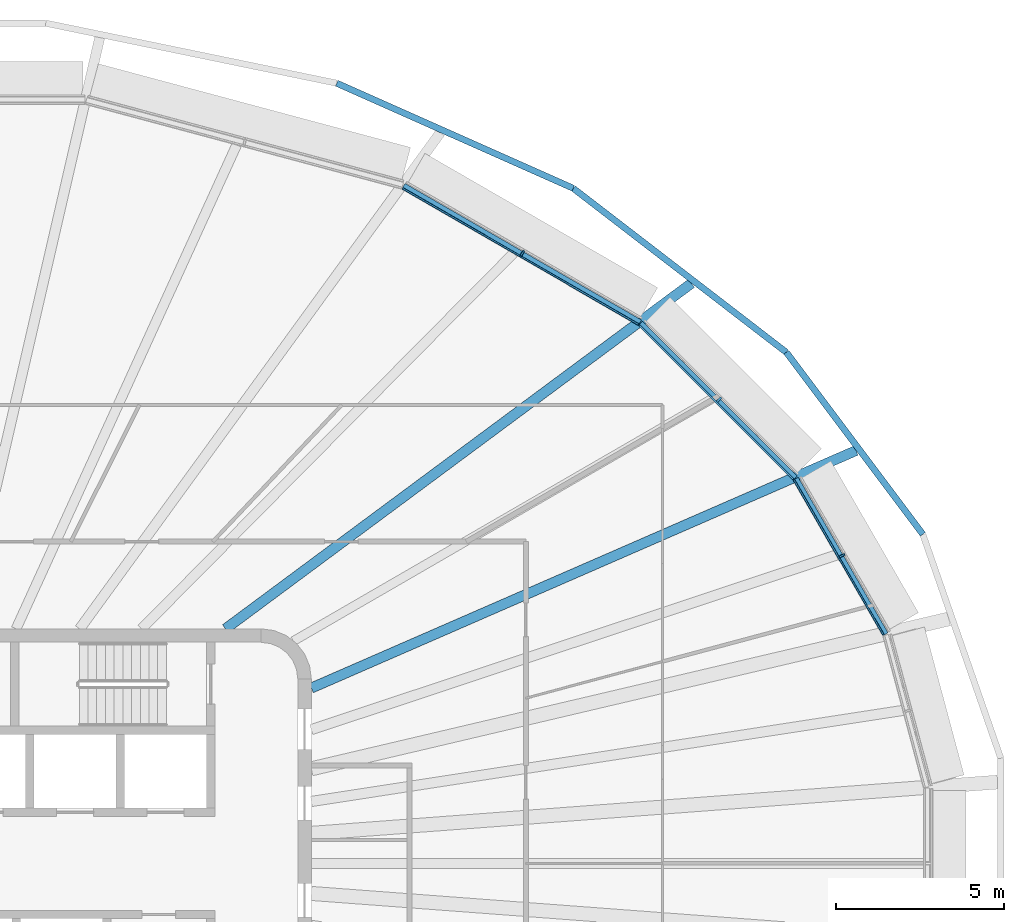
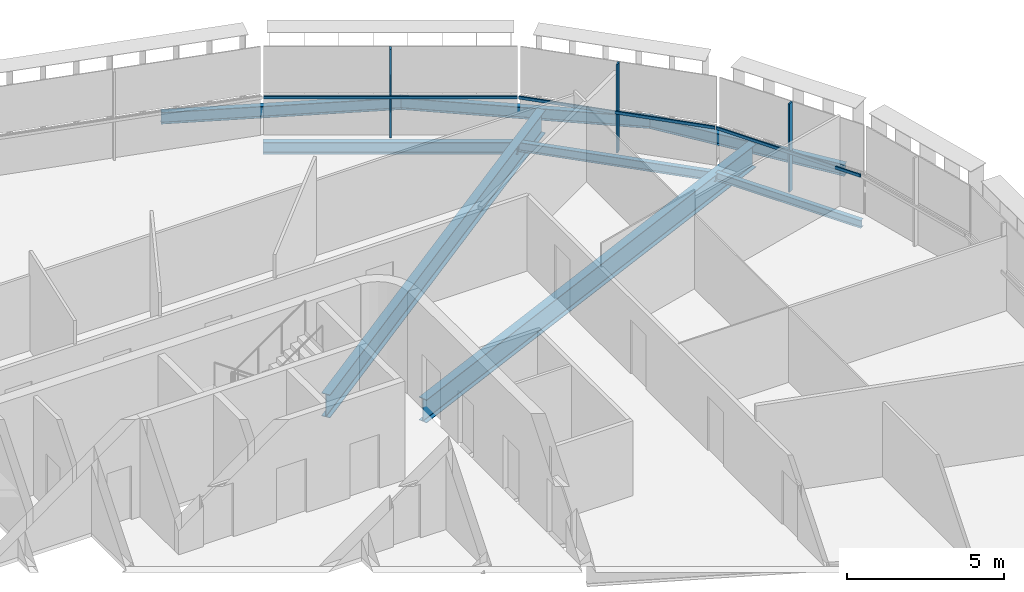
# One storey, part 7 of 20: 8 beams, 6 members, 3 elements without a shape of their own.
"""IFC4 building model written with IfcOpenShell, lengths in metres."""

from ifc_helpers import new_model, si_unit, direction, frame, origin, origin_2d, place, context, subcontext, project, spatial, rectangle, i_section, extrude, material, layer, layer_set, material_profile, profile_set, type_object, element, aggregate, save


model = new_model("IFC4")

# Units and contexts
model_context = context("Model", 3, precision=1e-05, world=origin(), true_north=direction((0.0, 1.0)))
body_context = subcontext(model_context, "Body", "Model", "MODEL_VIEW")
ifc_project = project(units=[si_unit("LENGTHUNIT", "METRE"), si_unit("AREAUNIT", "SQUARE_METRE"), si_unit("VOLUMEUNIT", "CUBIC_METRE"), si_unit("PLANEANGLEUNIT", "RADIAN"), si_unit("MASSUNIT", "GRAM", prefix="KILO")], contexts=[model_context])

# Site, building, storey
site_placement = place(None, origin())
site = spatial("IfcSite", under=ifc_project, at=site_placement, CompositionType="ELEMENT")
building_placement = place(site_placement, origin())
building = spatial("IfcBuilding", under=site, at=building_placement, Name="Sahrelin Media Tower", CompositionType="ELEMENT")
storey_placement = place(building_placement, frame((0.0, 0.0, 225.60009765625)))
storey = spatial("IfcBuildingStorey", under=building, at=storey_placement, Name="L48", CompositionType="ELEMENT", Elevation=225.60009765625)

# Beams
ifc_material_1 = material(Name="Steel S355", Category="steel")
ifc_material_profile_1 = material_profile(ifc_material_1, i_section(OverallWidth=0.1650390625, OverallDepth=0.303466796875, WebThickness=0.006103515625, FlangeThickness=0.01025390625, FilletRadius=0.0087890625, at=origin_2d()), Name="UB 305x165x40")
ifc_profile_set_1 = profile_set([ifc_material_profile_1], Name="Steel S355")
beam_type_1 = type_object("IfcBeamType", Name="Edge beam EB2", PredefinedType="BEAM", material=ifc_profile_set_1)
beam_1_placement = place(storey_placement, frame((26.45849609375, 11.480712890625, -0.3017578125), z_axis=(0.500015657045, -0.866016363997, 0.0), x_axis=(0.866016363997, 0.500015657045, 0.0)))
element("IfcBeam", 1, at=beam_1_placement, inside=storey, type_object=beam_type_1, Name="Edge beam L48-19", PredefinedType="BEAM", context=body_context, shape_type="SweptSolid", body=[
    extrude(i_section(OverallWidth=0.1650390625, OverallDepth=0.303466796875, WebThickness=0.006103515625, FlangeThickness=0.01025390625, FilletRadius=0.0087890625, at=origin_2d()), origin(), (0.0, 0.0, 1.0), 5.357666015625),
])
ifc_material_profile_2 = material_profile(ifc_material_1, i_section(OverallWidth=0.17138671875, OverallDepth=0.35498046875, WebThickness=0.00732421875, FlangeThickness=0.011474609375, FilletRadius=0.01025390625, at=origin_2d()), Name="UB 356x171x51")
ifc_profile_set_2 = profile_set([ifc_material_profile_2], Name="Steel S355")
beam_type_2 = type_object("IfcBeamType", Name="Edge beam EB3", PredefinedType="BEAM", material=ifc_profile_set_2)
beam_2_placement = place(storey_placement, frame((21.828125, 16.116455078125, -0.32763671875), z_axis=(0.707088068965, -0.707125492913, 0.0), x_axis=(0.707125492913, 0.707088068965, 0.0)))
element("IfcBeam", 2, at=beam_2_placement, inside=storey, type_object=beam_type_2, Name="Edge beam L48-18", PredefinedType="BEAM", context=body_context, shape_type="SweptSolid", body=[
    extrude(i_section(OverallWidth=0.17138671875, OverallDepth=0.35498046875, WebThickness=0.00732421875, FlangeThickness=0.011474609375, FilletRadius=0.01025390625, at=origin_2d()), origin(), (0.0, 0.0, 1.0), 6.523681640625),
])
ifc_material_profile_3 = material_profile(ifc_material_1, i_section(OverallWidth=0.1904296875, OverallDepth=0.45703125, WebThickness=0.009033203125, FlangeThickness=0.014404296875, FilletRadius=0.01025390625, at=origin_2d()), Name="UB 457x191x74")
ifc_profile_set_3 = profile_set([ifc_material_profile_3], Name="Steel S355")
beam_type_3 = type_object("IfcBeamType", Name="Edge beam EB5", PredefinedType="BEAM", material=ifc_profile_set_3)
beam_3_placement = place(storey_placement, frame((14.749267578125, 20.207763671875, -0.378662109375), z_axis=(0.866012430043, -0.500022470507, 0.0), x_axis=(0.500022470507, 0.866012430043, 0.0)))
element("IfcBeam", 3, at=beam_3_placement, inside=storey, type_object=beam_type_3, Name="Edge beam L48-17", PredefinedType="BEAM", context=body_context, shape_type="SweptSolid", body=[
    extrude(i_section(OverallWidth=0.1904296875, OverallDepth=0.45703125, WebThickness=0.009033203125, FlangeThickness=0.014404296875, FilletRadius=0.01025390625, at=origin_2d()), origin(), (0.0, 0.0, 1.0), 8.147705078125),
])

# Curtain wall, member
ifc_material_2 = material(Name="Champagne anodised aluminium 6063-T6", Category="aluminium")
ifc_layer = layer(ifc_material_2, 0.14990234375)
ifc_layer_set = layer_set([ifc_layer], Name="Tower ribbon curtain wall")
curtain_wall_type = type_object("IfcCurtainWallType", Name="Tower ribbon curtain wall", PredefinedType="NOTDEFINED", material=ifc_layer_set)
curtain_wall_1_placement = place(storey_placement, frame((27.927978515625, 9.235595703125, 0.0), z_axis=(0.0, 0.0, 1.0), x_axis=(1.0, 0.0, 0.0)))
curtain_wall_1 = element("IfcCurtainWall", 4, at=curtain_wall_1_placement, inside=storey, type_object=curtain_wall_type, Name="L48:CW:L48-02", PredefinedType="NOTDEFINED")
ifc_material_profile_4 = material_profile(ifc_material_2, rectangle(XDim=0.06005859375, YDim=0.175048828125, at=origin_2d()), Name="Mullion 60x175")
ifc_profile_set_4 = profile_set([ifc_material_profile_4], Name="Champagne anodised aluminium 6063-T6")
member_type_1 = type_object("IfcMemberType", Name="Mullion 60x175 CW1B", PredefinedType="MULLION", material=ifc_profile_set_4)
member_1_placement = place(storey_placement, frame((27.834716796875, 9.181884765625, 0.0), z_axis=(0.0, 0.0, 1.0), x_axis=(-0.500001511499, 0.866024531118, 0.0)))
member_1 = element("IfcMember", 5, at=member_1_placement, type_object=member_type_1, Name="L48:CWM:L48-02", PredefinedType="MULLION", context=body_context, shape_type="SweptSolid", body=[
    extrude(rectangle(XDim=0.06005859375, YDim=0.175048828125, at=origin_2d()), origin(), (0.0, 0.0, 1.0), 3.448486328125),
])

curtain_wall_2_placement = place(storey_placement, frame((24.240478515625, 13.916015625, 0.0), z_axis=(0.0, 0.0, 1.0), x_axis=(1.0, 0.0, 0.0)))
curtain_wall_2 = element("IfcCurtainWall", 6, at=curtain_wall_2_placement, inside=storey, type_object=curtain_wall_type, Name="L48:CW:L48-03", PredefinedType="NOTDEFINED")
member_2_placement = place(storey_placement, frame((24.16455078125, 13.840087890625, 0.0), z_axis=(0.0, 0.0, 1.0), x_axis=(-0.707106781187, 0.707106781187, 0.0)))
member_2 = element("IfcMember", 7, at=member_2_placement, type_object=member_type_1, Name="L48:CWM:L48-03", PredefinedType="MULLION", context=body_context, shape_type="SweptSolid", body=[
    extrude(rectangle(XDim=0.06005859375, YDim=0.175048828125, at=origin_2d()), origin(), (0.0, 0.0, 1.0), 3.448486328125),
])

curtain_wall_3_placement = place(storey_placement, frame((18.352294921875, 18.30078125, 0.0), z_axis=(0.0, 0.0, 1.0), x_axis=(1.0, 0.0, 0.0)))
curtain_wall_3 = element("IfcCurtainWall", 8, at=curtain_wall_3_placement, inside=storey, type_object=curtain_wall_type, Name="L48:CW:L48-04", PredefinedType="NOTDEFINED")
member_3_placement = place(storey_placement, frame((18.298583984375, 18.20751953125, 0.0), z_axis=(0.0, 0.0, 1.0), x_axis=(-0.866026276448, 0.4999984885, 0.0)))
member_3 = element("IfcMember", 9, at=member_3_placement, type_object=member_type_1, Name="L48:CWM:L48-04", PredefinedType="MULLION", context=body_context, shape_type="SweptSolid", body=[
    extrude(rectangle(XDim=0.06005859375, YDim=0.175048828125, at=origin_2d()), origin(), (0.0, 0.0, 1.0), 3.448486328125),
])

# Beams
ifc_material_profile_5 = material_profile(ifc_material_1, i_section(OverallWidth=0.30322265625, OverallDepth=0.903076171875, WebThickness=0.01513671875, FlangeThickness=0.020263671875, FilletRadius=0.01904296875, at=origin_2d()), Name="UB 914x305x201")
ifc_profile_set_5 = profile_set([ifc_material_profile_5], Name="Steel S355")
beam_type_4 = type_object("IfcBeamType", Name="Radial primary beam PB11", PredefinedType="BEAM", material=ifc_profile_set_5)
beam_4_placement = place(storey_placement, frame((12.0, 5.232177734375, -0.6015625), z_axis=(0.916661563544, 0.399664331559, 0.0), x_axis=(-0.399664331559, 0.916661563544, 0.0)))
element("IfcBeam", 10, at=beam_4_placement, inside=storey, type_object=beam_type_4, Name="Radial beam L48-03", PredefinedType="BEAM", context=body_context, shape_type="SweptSolid", body=[
    extrude(i_section(OverallWidth=0.30322265625, OverallDepth=0.903076171875, WebThickness=0.01513671875, FlangeThickness=0.020263671875, FilletRadius=0.01904296875, at=origin_2d()), origin(), (0.0, 0.0, 1.0), 17.732177734375),
])
beam_5_placement = place(storey_placement, frame((9.43994140625, 7.0, -0.6015625), z_axis=(0.803256504136, 0.595633266838, 0.0), x_axis=(-0.595633266838, 0.803256504136, 0.0)))
element("IfcBeam", 11, at=beam_5_placement, inside=storey, type_object=beam_type_4, Name="Radial beam L48-04", PredefinedType="BEAM", context=body_context, shape_type="SweptSolid", body=[
    extrude(i_section(OverallWidth=0.30322265625, OverallDepth=0.903076171875, WebThickness=0.01513671875, FlangeThickness=0.020263671875, FilletRadius=0.01904296875, at=origin_2d()), origin(), (0.0, 0.0, 1.0), 17.30908203125),
])
ifc_material_profile_6 = material_profile(ifc_material_1, i_section(OverallWidth=0.1904296875, OverallDepth=0.45703125, WebThickness=0.009033203125, FlangeThickness=0.014404296875, FilletRadius=0.01025390625, at=origin_2d()), Name="UB 457x191x74")
ifc_profile_set_6 = profile_set([ifc_material_profile_6], Name="Steel S355")
beam_type_5 = type_object("IfcBeamType", Name="Tie chord TC5", PredefinedType="BEAM", material=ifc_profile_set_6)
beam_6_placement = place(storey_placement, frame((30.247314453125, 9.82080078125, -0.378662109375), z_axis=(-0.600034521384, 0.799974107798, 0.0), x_axis=(-0.799974107798, -0.600034521384, 0.0)))
element("IfcBeam", 12, at=beam_6_placement, inside=storey, type_object=beam_type_5, Name="Tie chord L48-02", PredefinedType="BEAM", context=body_context, shape_type="SweptSolid", body=[
    extrude(i_section(OverallWidth=0.1904296875, OverallDepth=0.45703125, WebThickness=0.009033203125, FlangeThickness=0.014404296875, FilletRadius=0.01025390625, at=origin_2d()), origin(), (0.0, 0.0, 1.0), 6.7890625),
])
beam_7_placement = place(storey_placement, frame((26.173583984375, 15.251953125, -0.378662109375), z_axis=(-0.792463332497, 0.609919557523, 0.0), x_axis=(-0.609919557523, -0.792463332497, 0.0)))
element("IfcBeam", 13, at=beam_7_placement, inside=storey, type_object=beam_type_5, Name="Tie chord L48-03", PredefinedType="BEAM", context=body_context, shape_type="SweptSolid", body=[
    extrude(i_section(OverallWidth=0.1904296875, OverallDepth=0.45703125, WebThickness=0.009033203125, FlangeThickness=0.014404296875, FilletRadius=0.01025390625, at=origin_2d()), origin(), (0.0, 0.0, 1.0), 8.023193359375),
])
beam_8_placement = place(storey_placement, frame((19.8154296875, 20.1455078125, -0.378662109375), z_axis=(-0.913827194027, 0.406103262061, 0.0), x_axis=(-0.406103262061, -0.913827194027, 0.0)))
element("IfcBeam", 14, at=beam_8_placement, inside=storey, type_object=beam_type_5, Name="Tie chord L48-04", PredefinedType="BEAM", context=body_context, shape_type="SweptSolid", body=[
    extrude(i_section(OverallWidth=0.1904296875, OverallDepth=0.45703125, WebThickness=0.009033203125, FlangeThickness=0.014404296875, FilletRadius=0.01025390625, at=origin_2d()), origin(), (0.0, 0.0, 1.0), 7.721435546875),
])

# Member
ifc_material_profile_7 = material_profile(ifc_material_2, rectangle(XDim=0.050048828125, YDim=0.110107421875, at=origin_2d()), Name="Transom 50x110")
ifc_profile_set_7 = profile_set([ifc_material_profile_7], Name="Champagne anodised aluminium 6063-T6")
member_type_2 = type_object("IfcMemberType", Name="Transom 50x110 CW1B", PredefinedType="USERDEFINED", material=ifc_profile_set_7)
member_4_placement = place(storey_placement, frame((29.06884765625, 6.8193359375, 1.599853515625), z_axis=(-0.500004172341, 0.866022994869, 0.0), x_axis=(-0.866022994869, -0.500004172341, 0.0)))
member_4 = element("IfcMember", 15, at=member_4_placement, type_object=member_type_2, Name="L48:CWT:L48-02", ObjectType="TRANSOM", PredefinedType="USERDEFINED", context=body_context, shape_type="SweptSolid", body=[
    extrude(rectangle(XDim=0.050048828125, YDim=0.110107421875, at=origin_2d()), origin(), (0.0, 0.0, 1.0), 5.326171875),
])

aggregate(curtain_wall_1, [member_1, member_4])

member_5_placement = place(storey_placement, frame((26.38037109375, 11.465087890625, 1.599853515625), z_axis=(-0.707087978406, 0.707125583467, 0.0), x_axis=(-0.707125583467, -0.707087978406, 0.0)))
member_5 = element("IfcMember", 16, at=member_5_placement, type_object=member_type_2, Name="L48:CWT:L48-03", ObjectType="TRANSOM", PredefinedType="USERDEFINED", context=body_context, shape_type="SweptSolid", body=[
    extrude(rectangle(XDim=0.050048828125, YDim=0.110107421875, at=origin_2d()), origin(), (0.0, 0.0, 1.0), 6.4921875),
])

aggregate(curtain_wall_2, [member_2, member_5])

member_6_placement = place(storey_placement, frame((21.756591796875, 16.081298828125, 1.599853515625), z_axis=(-0.866037312134, 0.499979373566, 0.0), x_axis=(-0.499979373566, -0.866037312134, 0.0)))
member_6 = element("IfcMember", 17, at=member_6_placement, type_object=member_type_2, Name="L48:CWT:L48-04", ObjectType="TRANSOM", PredefinedType="USERDEFINED", context=body_context, shape_type="SweptSolid", body=[
    extrude(rectangle(XDim=0.050048828125, YDim=0.110107421875, at=origin_2d()), origin(), (0.0, 0.0, 1.0), 8.115966796875),
])

aggregate(curtain_wall_3, [member_3, member_6])

save(model, "model.ifc")
